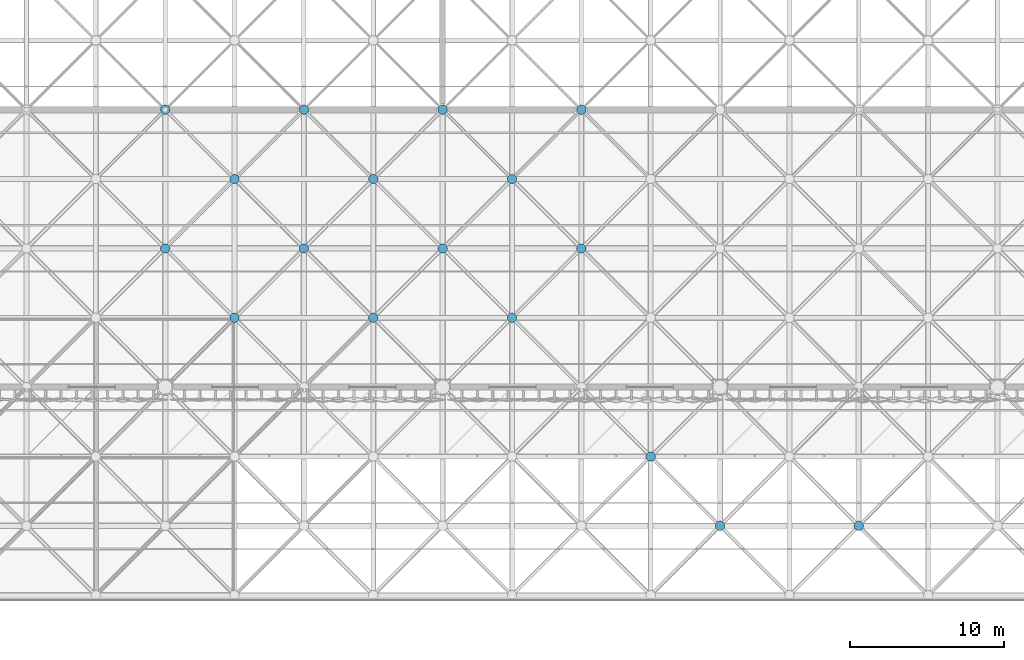
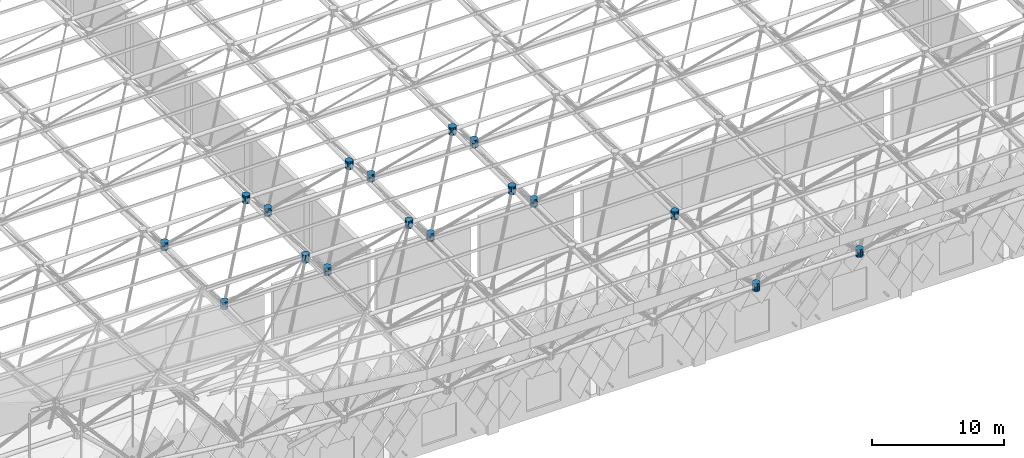
# One storey, part 299 of 437: 17 discrete accessories.
"""IFC4 building model written with IfcOpenShell, lengths in metres."""

from ifc_helpers import new_model, si_unit, direction, frame, origin, place, context, subcontext, project, spatial, polyline, outline, extrude, material, type_object, element, save


model = new_model("IFC4")

# Units and contexts
model_context = context("Model", 3, precision=1e-05, world=origin(), true_north=direction((0.0, 1.0)))
body_context = subcontext(model_context, "Body", "Model", "MODEL_VIEW")
ifc_project = project(units=[si_unit("LENGTHUNIT", "METRE"), si_unit("AREAUNIT", "SQUARE_METRE"), si_unit("VOLUMEUNIT", "CUBIC_METRE"), si_unit("PLANEANGLEUNIT", "RADIAN"), si_unit("MASSUNIT", "GRAM", prefix="KILO")], contexts=[model_context])

# Site, building, storey
site_placement = place(None, origin())
site = spatial("IfcSite", under=ifc_project, at=site_placement, CompositionType="ELEMENT")
building_placement = place(site_placement, origin())
building = spatial("IfcBuilding", under=site, at=building_placement, Name="Opaline Strait Convention Centre", CompositionType="ELEMENT")
storey_placement = place(building_placement, frame((0.0, 0.0, 11.5)))
storey = spatial("IfcBuildingStorey", under=building, at=storey_placement, Name="L02", CompositionType="ELEMENT", Elevation=11.5)

# Discrete accessories
ifc_material = material(Name="Cast steel ZG300-500H (300 MPa)", Category="steel")
discrete_accessory_type = type_object("IfcDiscreteAccessoryType", Name="Space frame node hub D600", PredefinedType="USERDEFINED", material=ifc_material)
discrete_accessory_1_placement = place(storey_placement, frame((0.0, 0.0, 17.611572265625)))
element("IfcDiscreteAccessory", 1, at=discrete_accessory_1_placement, inside=storey, type_object=discrete_accessory_type, Name="Top node 7/3", ObjectType="NODE HUB", PredefinedType="USERDEFINED", context=body_context, shape_type="SweptSolid", body=[
    extrude(outline(polyline([(139.800048828125, 58.559814453125), (139.75439453125, 58.669921875), (139.669921875, 58.75439453125), (139.559814453125, 58.800048828125), (139.440185546875, 58.800048828125), (139.330078125, 58.75439453125), (139.24560546875, 58.669921875), (139.199951171875, 58.559814453125), (139.199951171875, 58.440185546875), (139.24560546875, 58.330078125), (139.330078125, 58.24560546875), (139.440185546875, 58.199951171875), (139.559814453125, 58.199951171875), (139.669921875, 58.24560546875), (139.75439453125, 58.330078125), (139.800048828125, 58.440185546875), (139.800048828125, 58.559814453125)])), origin(), (0.0, 0.0, 1.0), 0.719970703125),
])
discrete_accessory_2_placement = place(storey_placement, frame((0.0, 0.0, 17.611572265625)))
element("IfcDiscreteAccessory", 2, at=discrete_accessory_2_placement, inside=storey, type_object=discrete_accessory_type, Name="Top node 7/4", ObjectType="NODE HUB", PredefinedType="USERDEFINED", context=body_context, shape_type="SweptSolid", body=[
    extrude(outline(polyline([(139.800048828125, 67.559814453125), (139.75439453125, 67.669921875), (139.669921875, 67.75439453125), (139.559814453125, 67.800048828125), (139.440185546875, 67.800048828125), (139.330078125, 67.75439453125), (139.24560546875, 67.669921875), (139.199951171875, 67.559814453125), (139.199951171875, 67.440185546875), (139.24560546875, 67.330078125), (139.330078125, 67.24560546875), (139.440185546875, 67.199951171875), (139.559814453125, 67.199951171875), (139.669921875, 67.24560546875), (139.75439453125, 67.330078125), (139.800048828125, 67.440185546875), (139.800048828125, 67.559814453125)])), origin(), (0.0, 0.0, 1.0), 0.719970703125),
])
discrete_accessory_3_placement = place(storey_placement, frame((0.0, 0.0, 17.611572265625)))
element("IfcDiscreteAccessory", 3, at=discrete_accessory_3_placement, inside=storey, type_object=discrete_accessory_type, Name="Top node 8/3", ObjectType="NODE HUB", PredefinedType="USERDEFINED", context=body_context, shape_type="SweptSolid", body=[
    extrude(outline(polyline([(148.800048828125, 58.559814453125), (148.75439453125, 58.669921875), (148.669921875, 58.75439453125), (148.559814453125, 58.800048828125), (148.440185546875, 58.800048828125), (148.330078125, 58.75439453125), (148.24560546875, 58.669921875), (148.199951171875, 58.559814453125), (148.199951171875, 58.440185546875), (148.24560546875, 58.330078125), (148.330078125, 58.24560546875), (148.440185546875, 58.199951171875), (148.559814453125, 58.199951171875), (148.669921875, 58.24560546875), (148.75439453125, 58.330078125), (148.800048828125, 58.440185546875), (148.800048828125, 58.559814453125)])), origin(), (0.0, 0.0, 1.0), 0.719970703125),
])
discrete_accessory_4_placement = place(storey_placement, frame((0.0, 0.0, 17.611572265625)))
element("IfcDiscreteAccessory", 4, at=discrete_accessory_4_placement, inside=storey, type_object=discrete_accessory_type, Name="Top node 8/4", ObjectType="NODE HUB", PredefinedType="USERDEFINED", context=body_context, shape_type="SweptSolid", body=[
    extrude(outline(polyline([(148.800048828125, 67.559814453125), (148.75439453125, 67.669921875), (148.669921875, 67.75439453125), (148.559814453125, 67.800048828125), (148.440185546875, 67.800048828125), (148.330078125, 67.75439453125), (148.24560546875, 67.669921875), (148.199951171875, 67.559814453125), (148.199951171875, 67.440185546875), (148.24560546875, 67.330078125), (148.330078125, 67.24560546875), (148.440185546875, 67.199951171875), (148.559814453125, 67.199951171875), (148.669921875, 67.24560546875), (148.75439453125, 67.330078125), (148.800048828125, 67.440185546875), (148.800048828125, 67.559814453125)])), origin(), (0.0, 0.0, 1.0), 0.719970703125),
])
discrete_accessory_5_placement = place(storey_placement, frame((0.0, 0.0, 17.611572265625)))
element("IfcDiscreteAccessory", 5, at=discrete_accessory_5_placement, inside=storey, type_object=discrete_accessory_type, Name="Top node 9/3", ObjectType="NODE HUB", PredefinedType="USERDEFINED", context=body_context, shape_type="SweptSolid", body=[
    extrude(outline(polyline([(157.800048828125, 58.559814453125), (157.75439453125, 58.669921875), (157.669921875, 58.75439453125), (157.559814453125, 58.800048828125), (157.440185546875, 58.800048828125), (157.330078125, 58.75439453125), (157.24560546875, 58.669921875), (157.199951171875, 58.559814453125), (157.199951171875, 58.440185546875), (157.24560546875, 58.330078125), (157.330078125, 58.24560546875), (157.440185546875, 58.199951171875), (157.559814453125, 58.199951171875), (157.669921875, 58.24560546875), (157.75439453125, 58.330078125), (157.800048828125, 58.440185546875), (157.800048828125, 58.559814453125)])), origin(), (0.0, 0.0, 1.0), 0.719970703125),
])
discrete_accessory_6_placement = place(storey_placement, frame((0.0, 0.0, 17.611572265625)))
element("IfcDiscreteAccessory", 6, at=discrete_accessory_6_placement, inside=storey, type_object=discrete_accessory_type, Name="Top node 9/4", ObjectType="NODE HUB", PredefinedType="USERDEFINED", context=body_context, shape_type="SweptSolid", body=[
    extrude(outline(polyline([(157.800048828125, 67.559814453125), (157.75439453125, 67.669921875), (157.669921875, 67.75439453125), (157.559814453125, 67.800048828125), (157.440185546875, 67.800048828125), (157.330078125, 67.75439453125), (157.24560546875, 67.669921875), (157.199951171875, 67.559814453125), (157.199951171875, 67.440185546875), (157.24560546875, 67.330078125), (157.330078125, 67.24560546875), (157.440185546875, 67.199951171875), (157.559814453125, 67.199951171875), (157.669921875, 67.24560546875), (157.75439453125, 67.330078125), (157.800048828125, 67.440185546875), (157.800048828125, 67.559814453125)])), origin(), (0.0, 0.0, 1.0), 0.719970703125),
])
discrete_accessory_7_placement = place(storey_placement, frame((0.0, 0.0, 17.611572265625)))
element("IfcDiscreteAccessory", 7, at=discrete_accessory_7_placement, inside=storey, type_object=discrete_accessory_type, Name="Top node 10/2", ObjectType="NODE HUB", PredefinedType="USERDEFINED", context=body_context, shape_type="SweptSolid", body=[
    extrude(outline(polyline([(166.800048828125, 49.559814453125), (166.75439453125, 49.669921875), (166.669921875, 49.75439453125), (166.559814453125, 49.800048828125), (166.440185546875, 49.800048828125), (166.330078125, 49.75439453125), (166.24560546875, 49.669921875), (166.199951171875, 49.559814453125), (166.199951171875, 49.440185546875), (166.24560546875, 49.330078125), (166.330078125, 49.24560546875), (166.440185546875, 49.199951171875), (166.559814453125, 49.199951171875), (166.669921875, 49.24560546875), (166.75439453125, 49.330078125), (166.800048828125, 49.440185546875), (166.800048828125, 49.559814453125)])), origin(), (0.0, 0.0, 1.0), 0.719970703125),
])
discrete_accessory_8_placement = place(storey_placement, frame((0.0, 0.0, 12.139892578125)))
element("IfcDiscreteAccessory", 8, at=discrete_accessory_8_placement, inside=storey, type_object=discrete_accessory_type, Name="Bottom node 6/3", ObjectType="NODE HUB", PredefinedType="USERDEFINED", context=body_context, shape_type="SweptSolid", body=[
    extrude(outline(polyline([(135.300048828125, 63.059814453125), (135.25439453125, 63.169921875), (135.169921875, 63.25439453125), (135.059814453125, 63.300048828125), (134.940185546875, 63.300048828125), (134.830078125, 63.25439453125), (134.74560546875, 63.169921875), (134.699951171875, 63.059814453125), (134.699951171875, 62.940185546875), (134.74560546875, 62.830078125), (134.830078125, 62.74560546875), (134.940185546875, 62.699951171875), (135.059814453125, 62.699951171875), (135.169921875, 62.74560546875), (135.25439453125, 62.830078125), (135.300048828125, 62.940185546875), (135.300048828125, 63.059814453125)])), origin(), (0.0, 0.0, 1.0), 0.72021484375),
])
discrete_accessory_9_placement = place(storey_placement, frame((0.0, 0.0, 12.139892578125)))
element("IfcDiscreteAccessory", 9, at=discrete_accessory_9_placement, inside=storey, type_object=discrete_accessory_type, Name="Bottom node 6/4", ObjectType="NODE HUB", PredefinedType="USERDEFINED", context=body_context, shape_type="SweptSolid", body=[
    extrude(outline(polyline([(135.300048828125, 72.059814453125), (135.25439453125, 72.169921875), (135.169921875, 72.25439453125), (135.059814453125, 72.300048828125), (134.940185546875, 72.300048828125), (134.830078125, 72.25439453125), (134.74560546875, 72.169921875), (134.699951171875, 72.059814453125), (134.699951171875, 71.940185546875), (134.74560546875, 71.830078125), (134.830078125, 71.74560546875), (134.940185546875, 71.699951171875), (135.059814453125, 71.699951171875), (135.169921875, 71.74560546875), (135.25439453125, 71.830078125), (135.300048828125, 71.940185546875), (135.300048828125, 72.059814453125)])), origin(), (0.0, 0.0, 1.0), 0.72021484375),
])
discrete_accessory_10_placement = place(storey_placement, frame((0.0, 0.0, 12.139892578125)))
element("IfcDiscreteAccessory", 10, at=discrete_accessory_10_placement, inside=storey, type_object=discrete_accessory_type, Name="Bottom node 7/3", ObjectType="NODE HUB", PredefinedType="USERDEFINED", context=body_context, shape_type="SweptSolid", body=[
    extrude(outline(polyline([(144.300048828125, 63.059814453125), (144.25439453125, 63.169921875), (144.169921875, 63.25439453125), (144.059814453125, 63.300048828125), (143.940185546875, 63.300048828125), (143.830078125, 63.25439453125), (143.74560546875, 63.169921875), (143.699951171875, 63.059814453125), (143.699951171875, 62.940185546875), (143.74560546875, 62.830078125), (143.830078125, 62.74560546875), (143.940185546875, 62.699951171875), (144.059814453125, 62.699951171875), (144.169921875, 62.74560546875), (144.25439453125, 62.830078125), (144.300048828125, 62.940185546875), (144.300048828125, 63.059814453125)])), origin(), (0.0, 0.0, 1.0), 0.72021484375),
])
discrete_accessory_11_placement = place(storey_placement, frame((0.0, 0.0, 12.139892578125)))
element("IfcDiscreteAccessory", 11, at=discrete_accessory_11_placement, inside=storey, type_object=discrete_accessory_type, Name="Bottom node 7/4", ObjectType="NODE HUB", PredefinedType="USERDEFINED", context=body_context, shape_type="SweptSolid", body=[
    extrude(outline(polyline([(144.300048828125, 72.059814453125), (144.25439453125, 72.169921875), (144.169921875, 72.25439453125), (144.059814453125, 72.300048828125), (143.940185546875, 72.300048828125), (143.830078125, 72.25439453125), (143.74560546875, 72.169921875), (143.699951171875, 72.059814453125), (143.699951171875, 71.940185546875), (143.74560546875, 71.830078125), (143.830078125, 71.74560546875), (143.940185546875, 71.699951171875), (144.059814453125, 71.699951171875), (144.169921875, 71.74560546875), (144.25439453125, 71.830078125), (144.300048828125, 71.940185546875), (144.300048828125, 72.059814453125)])), origin(), (0.0, 0.0, 1.0), 0.72021484375),
])
discrete_accessory_12_placement = place(storey_placement, frame((0.0, 0.0, 12.139892578125)))
element("IfcDiscreteAccessory", 12, at=discrete_accessory_12_placement, inside=storey, type_object=discrete_accessory_type, Name="Bottom node 8/3", ObjectType="NODE HUB", PredefinedType="USERDEFINED", context=body_context, shape_type="SweptSolid", body=[
    extrude(outline(polyline([(153.300048828125, 63.059814453125), (153.25439453125, 63.169921875), (153.169921875, 63.25439453125), (153.059814453125, 63.300048828125), (152.940185546875, 63.300048828125), (152.830078125, 63.25439453125), (152.74560546875, 63.169921875), (152.699951171875, 63.059814453125), (152.699951171875, 62.940185546875), (152.74560546875, 62.830078125), (152.830078125, 62.74560546875), (152.940185546875, 62.699951171875), (153.059814453125, 62.699951171875), (153.169921875, 62.74560546875), (153.25439453125, 62.830078125), (153.300048828125, 62.940185546875), (153.300048828125, 63.059814453125)])), origin(), (0.0, 0.0, 1.0), 0.72021484375),
])
discrete_accessory_13_placement = place(storey_placement, frame((0.0, 0.0, 12.139892578125)))
element("IfcDiscreteAccessory", 13, at=discrete_accessory_13_placement, inside=storey, type_object=discrete_accessory_type, Name="Bottom node 8/4", ObjectType="NODE HUB", PredefinedType="USERDEFINED", context=body_context, shape_type="SweptSolid", body=[
    extrude(outline(polyline([(153.300048828125, 72.059814453125), (153.25439453125, 72.169921875), (153.169921875, 72.25439453125), (153.059814453125, 72.300048828125), (152.940185546875, 72.300048828125), (152.830078125, 72.25439453125), (152.74560546875, 72.169921875), (152.699951171875, 72.059814453125), (152.699951171875, 71.940185546875), (152.74560546875, 71.830078125), (152.830078125, 71.74560546875), (152.940185546875, 71.699951171875), (153.059814453125, 71.699951171875), (153.169921875, 71.74560546875), (153.25439453125, 71.830078125), (153.300048828125, 71.940185546875), (153.300048828125, 72.059814453125)])), origin(), (0.0, 0.0, 1.0), 0.72021484375),
])
discrete_accessory_14_placement = place(storey_placement, frame((0.0, 0.0, 12.139892578125)))
element("IfcDiscreteAccessory", 14, at=discrete_accessory_14_placement, inside=storey, type_object=discrete_accessory_type, Name="Bottom node 9/3", ObjectType="NODE HUB", PredefinedType="USERDEFINED", context=body_context, shape_type="SweptSolid", body=[
    extrude(outline(polyline([(162.300048828125, 63.059814453125), (162.25439453125, 63.169921875), (162.169921875, 63.25439453125), (162.059814453125, 63.300048828125), (161.940185546875, 63.300048828125), (161.830078125, 63.25439453125), (161.74560546875, 63.169921875), (161.699951171875, 63.059814453125), (161.699951171875, 62.940185546875), (161.74560546875, 62.830078125), (161.830078125, 62.74560546875), (161.940185546875, 62.699951171875), (162.059814453125, 62.699951171875), (162.169921875, 62.74560546875), (162.25439453125, 62.830078125), (162.300048828125, 62.940185546875), (162.300048828125, 63.059814453125)])), origin(), (0.0, 0.0, 1.0), 0.72021484375),
])
discrete_accessory_15_placement = place(storey_placement, frame((0.0, 0.0, 12.139892578125)))
element("IfcDiscreteAccessory", 15, at=discrete_accessory_15_placement, inside=storey, type_object=discrete_accessory_type, Name="Bottom node 9/4", ObjectType="NODE HUB", PredefinedType="USERDEFINED", context=body_context, shape_type="SweptSolid", body=[
    extrude(outline(polyline([(162.300048828125, 72.059814453125), (162.25439453125, 72.169921875), (162.169921875, 72.25439453125), (162.059814453125, 72.300048828125), (161.940185546875, 72.300048828125), (161.830078125, 72.25439453125), (161.74560546875, 72.169921875), (161.699951171875, 72.059814453125), (161.699951171875, 71.940185546875), (161.74560546875, 71.830078125), (161.830078125, 71.74560546875), (161.940185546875, 71.699951171875), (162.059814453125, 71.699951171875), (162.169921875, 71.74560546875), (162.25439453125, 71.830078125), (162.300048828125, 71.940185546875), (162.300048828125, 72.059814453125)])), origin(), (0.0, 0.0, 1.0), 0.72021484375),
])
discrete_accessory_16_placement = place(storey_placement, frame((0.0, 0.0, 12.139892578125)))
element("IfcDiscreteAccessory", 16, at=discrete_accessory_16_placement, inside=storey, type_object=discrete_accessory_type, Name="Bottom node 10/1", ObjectType="NODE HUB", PredefinedType="USERDEFINED", context=body_context, shape_type="SweptSolid", body=[
    extrude(outline(polyline([(171.300048828125, 45.059814453125), (171.25439453125, 45.169921875), (171.169921875, 45.25439453125), (171.059814453125, 45.300048828125), (170.940185546875, 45.300048828125), (170.830078125, 45.25439453125), (170.74560546875, 45.169921875), (170.699951171875, 45.059814453125), (170.699951171875, 44.940185546875), (170.74560546875, 44.830078125), (170.830078125, 44.74560546875), (170.940185546875, 44.699951171875), (171.059814453125, 44.699951171875), (171.169921875, 44.74560546875), (171.25439453125, 44.830078125), (171.300048828125, 44.940185546875), (171.300048828125, 45.059814453125)])), origin(), (0.0, 0.0, 1.0), 0.72021484375),
])
discrete_accessory_17_placement = place(storey_placement, frame((0.0, 0.0, 12.139892578125)))
element("IfcDiscreteAccessory", 17, at=discrete_accessory_17_placement, inside=storey, type_object=discrete_accessory_type, Name="Bottom node 11/1", ObjectType="NODE HUB", PredefinedType="USERDEFINED", context=body_context, shape_type="SweptSolid", body=[
    extrude(outline(polyline([(180.300048828125, 45.059814453125), (180.25439453125, 45.169921875), (180.169921875, 45.25439453125), (180.059814453125, 45.300048828125), (179.940185546875, 45.300048828125), (179.830078125, 45.25439453125), (179.74560546875, 45.169921875), (179.699951171875, 45.059814453125), (179.699951171875, 44.940185546875), (179.74560546875, 44.830078125), (179.830078125, 44.74560546875), (179.940185546875, 44.699951171875), (180.059814453125, 44.699951171875), (180.169921875, 44.74560546875), (180.25439453125, 44.830078125), (180.300048828125, 44.940185546875), (180.300048828125, 45.059814453125)])), origin(), (0.0, 0.0, 1.0), 0.72021484375),
])

save(model, "model.ifc")
